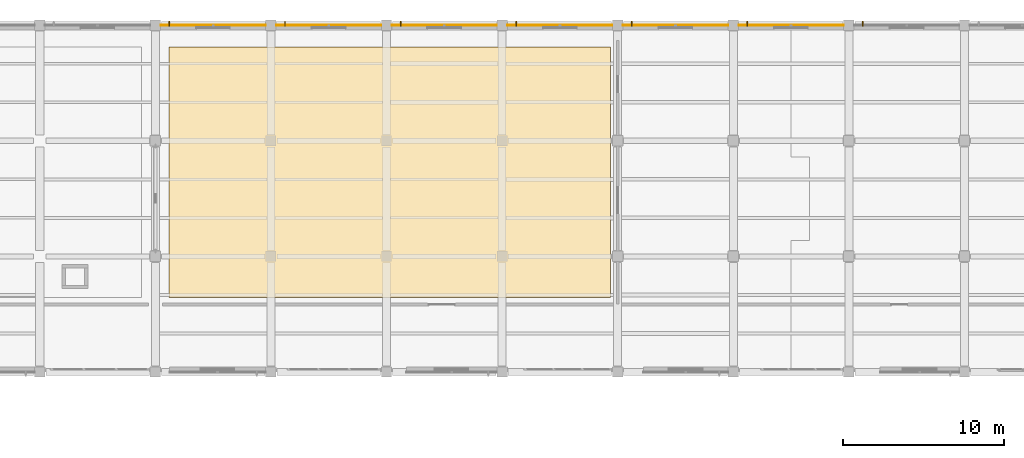
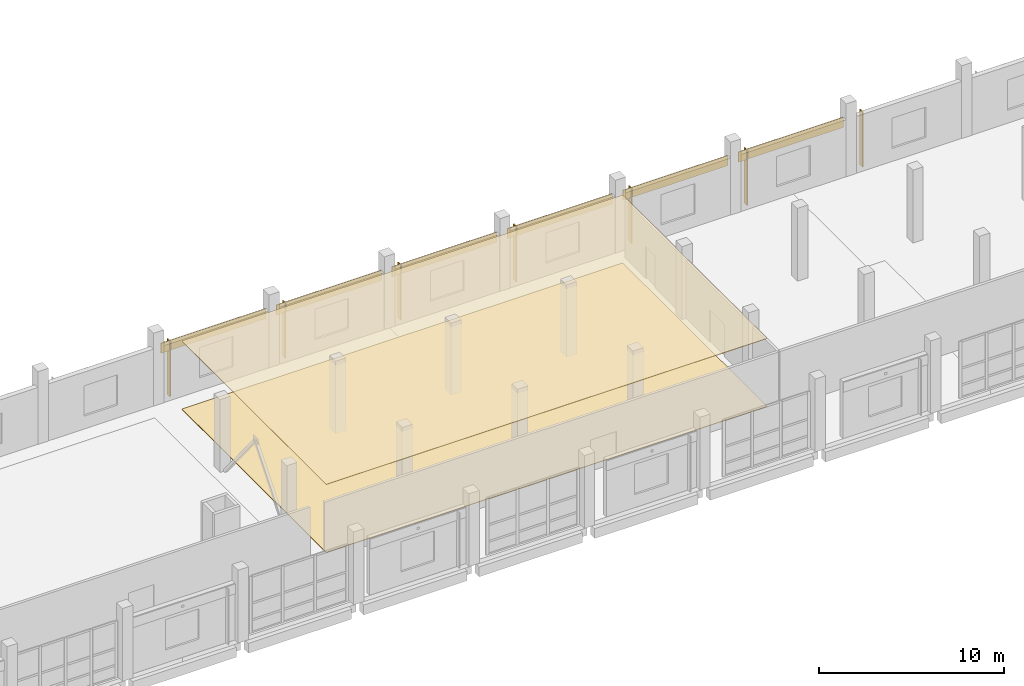
# One storey, part 120 of 127: 8 coverings, 7 shading devices.
"""IFC4 building model written with IfcOpenShell, lengths in metres."""

from ifc_helpers import new_model, si_unit, direction, frame, origin, origin_2d, place, context, subcontext, project, spatial, polyline, rectangle, outline, extrude, material, layer, layer_set, type_object, element, save


model = new_model("IFC4")

# Units and contexts
model_context = context("Model", 3, precision=1e-05, world=origin(), true_north=direction((0.0, 1.0)))
body_context = subcontext(model_context, "Body", "Model", "MODEL_VIEW")
ifc_project = project(units=[si_unit("LENGTHUNIT", "METRE"), si_unit("AREAUNIT", "SQUARE_METRE"), si_unit("VOLUMEUNIT", "CUBIC_METRE"), si_unit("PLANEANGLEUNIT", "RADIAN"), si_unit("MASSUNIT", "GRAM", prefix="KILO")], contexts=[model_context])

# Site, building, storey
site_placement = place(None, origin())
site = spatial("IfcSite", under=ifc_project, at=site_placement, CompositionType="ELEMENT")
building_placement = place(site_placement, origin())
building = spatial("IfcBuilding", under=site, at=building_placement, Name="Kalmorath City Hall", CompositionType="ELEMENT")
storey_placement = place(building_placement, frame((0.0, 0.0, 5.39990234375)))
storey = spatial("IfcBuildingStorey", under=building, at=storey_placement, Name="L01", CompositionType="ELEMENT", Elevation=5.39990234375)

# Shading devices
ifc_material_1 = material(Name="Bronze anodised aluminium", Category="aluminium")
ifc_layer_1 = layer(ifc_material_1, 0.06005859375)
ifc_layer_set_1 = layer_set([ifc_layer_1], Name="Bronze anodised aluminium")
shading_device_type = type_object("IfcShadingDeviceType", Name="Bronze vertical solar fin 320", PredefinedType="USERDEFINED", material=ifc_layer_set_1)
for number, where, z_axis, x_axis, name in (
    (1, (65.676025390625, 115.300048828125, 0.050048828125), (0.0, 0.0, 1.0), (1.0, 0.0, 0.0), "L01 bronze solar fin #131"),
    (2, (72.8759765625, 115.300048828125, 0.050048828125), (0.0, 0.0, 1.0), (1.0, 0.0, 0.0), "L01 bronze solar fin #132"),
    (3, (80.075927734375, 115.300048828125, 0.050048828125), (0.0, 0.0, 1.0), (1.0, 0.0, 0.0), "L01 bronze solar fin #133"),
    (4, (87.27587890625, 115.300048828125, 0.050048828125), (0.0, 0.0, 1.0), (1.0, 0.0, 0.0), "L01 bronze solar fin #134"),
    (5, (94.47607421875, 115.300048828125, 0.050048828125), (0.0, 0.0, 1.0), (1.0, 0.0, 0.0), "L01 bronze solar fin #135"),
    (6, (101.676025390625, 115.300048828125, 0.050048828125), (0.0, 0.0, 1.0), (1.0, 0.0, 0.0), "L01 bronze solar fin #136"),
    (7, (108.8759765625, 115.300048828125, 0.050048828125), (0.0, 0.0, 1.0), (1.0, 0.0, 0.0), "L01 bronze solar fin #137"),
):
    element("IfcShadingDevice", number, at=place(storey_placement, frame(where, z_axis=z_axis, x_axis=x_axis)), inside=storey, type_object=shading_device_type, Name=name, ObjectType="FIN", PredefinedType="USERDEFINED", context=body_context, shape_type="SweptSolid", body=[
        extrude(rectangle(XDim=0.06005859375, YDim=0.320068359375, at=origin_2d()), origin(), (0.0, 0.0, 1.0), 3.65087890625),
    ])

# Coverings
ifc_material_2 = material(Name="Perforated acoustic gypsum ceiling")
ifc_layer_2 = layer(ifc_material_2, 0.0400390625)
ifc_layer_set_2 = layer_set([ifc_layer_2], Name="Perforated acoustic gypsum ceiling")
covering_type_1 = type_object("IfcCoveringType", Name="Perforated acoustic suspended ceiling 40", PredefinedType="CEILING", material=ifc_layer_set_2)
covering_1_placement = place(storey_placement, frame((0.0, 0.0, 4.47998046875)))
element("IfcCovering", 8, at=covering_1_placement, inside=storey, type_object=covering_type_1, Name="L01 Committee Room 3 (Parks and Community) acoustic ceiling", PredefinedType="CEILING", context=body_context, shape_type="SweptSolid", body=[
    extrude(outline(polyline([(93.14990234375, 113.85009765625), (93.14990234375, 98.25), (65.64990234375, 98.25), (65.64990234375, 113.85009765625), (93.14990234375, 113.85009765625)])), origin(), (0.0, 0.0, 1.0), 0.0400390625),
])
ifc_material_3 = material(Name="Polished terrazzo finish")
ifc_layer_3 = layer(ifc_material_3, 0.034912109375)
ifc_layer_set_3 = layer_set([ifc_layer_3], Name="Polished terrazzo finish")
covering_type_2 = type_object("IfcCoveringType", Name="Polished civic terrazzo floor finish 35", PredefinedType="FLOORING", material=ifc_layer_set_3)
covering_2_placement = place(storey_placement, origin())
element("IfcCovering", 9, at=covering_2_placement, inside=storey, type_object=covering_type_2, Name="L01 Committee Room 3 (Parks and Community) terrazzo flooring", PredefinedType="FLOORING", context=body_context, shape_type="SweptSolid", body=[
    extrude(outline(polyline([(93.14990234375, 113.85009765625), (93.14990234375, 98.25), (65.64990234375, 98.25), (65.64990234375, 113.85009765625), (93.14990234375, 113.85009765625)])), origin(), (0.0, 0.0, 1.0), 0.03515625),
])
ifc_material_4 = material(Name="Volcanic basalt stone cladding", Category="masonry")
ifc_layer_4 = layer(ifc_material_4, 0.06005859375)
ifc_layer_set_4 = layer_set([ifc_layer_4], Name="Volcanic basalt stone cladding")
covering_type_3 = type_object("IfcCoveringType", Name="Volcanic basalt stone rainscreen cladding", PredefinedType="CLADDING", material=ifc_layer_set_4)
for number, where, z_axis, x_axis, name in (
    (10, (68.39990234375, 115.205078125, 3.076171875), (0.0, 0.0, 1.0), (1.0, 0.0, 0.0), "L01 basalt spandrel cladding #25"),
    (11, (75.60009765625, 115.205078125, 3.076171875), (0.0, 0.0, 1.0), (1.0, 0.0, 0.0), "L01 basalt spandrel cladding #26"),
    (12, (82.800048828125, 115.205078125, 3.076171875), (0.0, 0.0, 1.0), (1.0, 0.0, 0.0), "L01 basalt spandrel cladding #27"),
    (13, (90.0, 115.205078125, 3.076171875), (0.0, 0.0, 1.0), (1.0, 0.0, 0.0), "L01 basalt spandrel cladding #28"),
    (14, (97.199951171875, 115.205078125, 3.076171875), (0.0, 0.0, 1.0), (1.0, 0.0, 0.0), "L01 basalt spandrel cladding #29"),
    (15, (104.39990234375, 115.205078125, 3.076171875), (0.0, 0.0, 1.0), (1.0, 0.0, 0.0), "L01 basalt spandrel cladding #30"),
):
    element("IfcCovering", number, at=place(storey_placement, frame(where, z_axis=z_axis, x_axis=x_axis)), inside=storey, type_object=covering_type_3, Name=name, PredefinedType="CLADDING", context=body_context, shape_type="SweptSolid", body=[
        extrude(rectangle(XDim=6.548095703125, YDim=0.06005859375, at=origin_2d()), origin(), (0.0, 0.0, 1.0), 0.64990234375),
    ])

save(model, "model.ifc")
